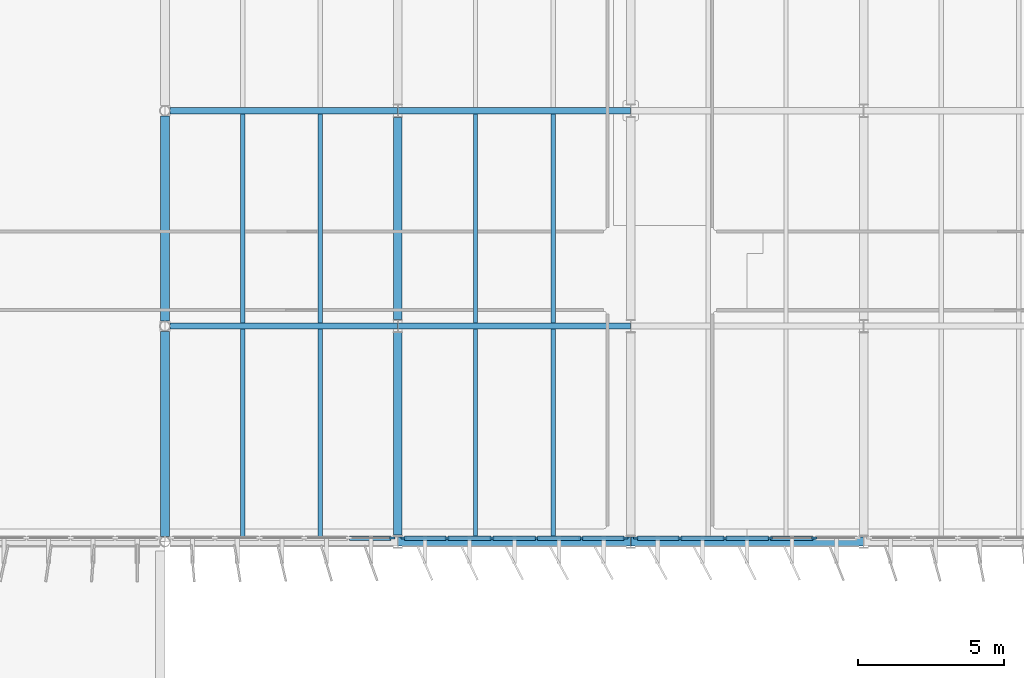
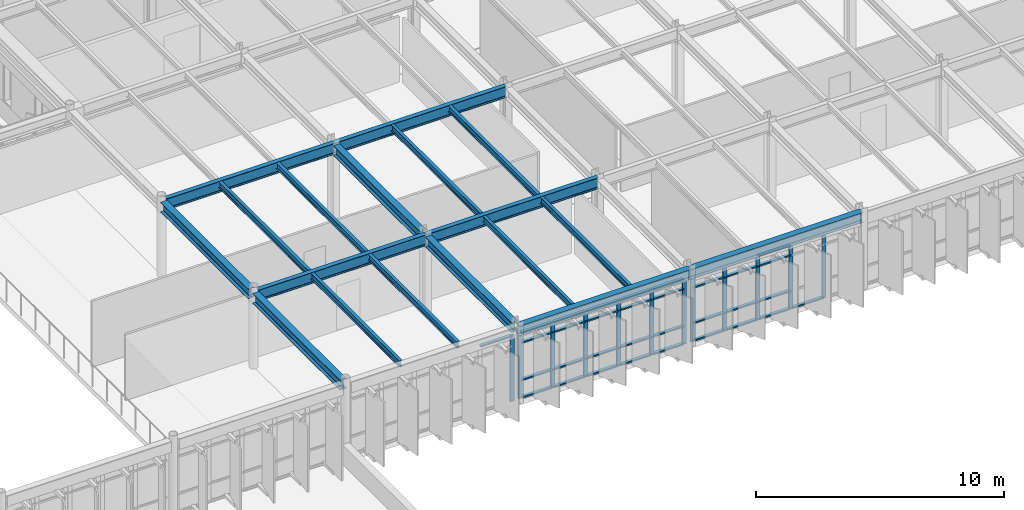
# One storey, part 20 of 56: 46 members, 18 beams, 3 elements without a shape of their own.
"""IFC4 building model written with IfcOpenShell, lengths in metres."""

import ifcopenshell
import ifcopenshell.guid

model = None  # the IFC model being written
_history = None  # IfcOwnerHistory: only IFC2X3 demands one
_inside = {}  # id of a spatial element -> (the spatial element, [elements in it])
_under = {}  # id of a project, library or spatial element -> (it, [spatial elements below it])
_declared = {}  # id of a project -> (the project, [libraries it declares])
_typed = {}  # id of a type object -> (the type object, [elements of that type])
_made_of = {}  # id of a material, layer set ... -> (it, [elements and type objects made of it])


def new_model(schema):
    """Start an empty IFC model of exactly this schema.

    Asked for "IFC4X3", IfcOpenShell would pick the latest addendum, in which some entities
    have other attributes; the version numbers below select the first issue.
    IFC2X3 requires an IfcOwnerHistory on every rooted entity: one is made here for all.
    """
    global model, _history
    if schema == "IFC4X3":
        model = ifcopenshell.file(schema_version=(4, 3, 0, 0))
    else:
        model = ifcopenshell.file(schema=schema)
    _inside.clear()
    _under.clear()
    _declared.clear()
    _typed.clear()
    _made_of.clear()
    _history = None
    if model.schema == "IFC2X3":
        org = make("IfcOrganization", Name="unknown")
        user = make(
            "IfcPersonAndOrganization",
            ThePerson=make("IfcPerson", FamilyName="unknown"),
            TheOrganization=org,
        )
        app = make(
            "IfcApplication",
            ApplicationDeveloper=org,
            Version="unknown",
            ApplicationFullName="unknown",
            ApplicationIdentifier="unknown",
        )
        _history = make(
            "IfcOwnerHistory",
            OwningUser=user,
            OwningApplication=app,
            ChangeAction="ADDED",
            CreationDate=0,
        )
    return model


def make(cls, **values):
    """One entity of the class cls with the attributes given. An attribute that is None is left unset."""
    return model.create_entity(
        cls, **{name: value for name, value in values.items() if value is not None}
    )


def rooted(cls, **values):
    """An entity with a GlobalId (a new one), such as an element, a storey or a relation."""
    return make(cls, GlobalId=ifcopenshell.guid.new(), OwnerHistory=_history, **values)


def si_unit(unit_type, name, prefix=None):
    """IfcSIUnit, for example si_unit("LENGTHUNIT", "METRE", prefix="MILLI")."""
    return make("IfcSIUnit", UnitType=unit_type, Prefix=prefix, Name=name)


def assignment(units):
    """IfcUnitAssignment: the units of a project."""
    return None if units is None else make("IfcUnitAssignment", Units=units)


def point(xyz):
    """IfcCartesianPoint."""
    return None if xyz is None else make("IfcCartesianPoint", Coordinates=xyz)


def direction(xyz):
    """IfcDirection."""
    return None if xyz is None else make("IfcDirection", DirectionRatios=xyz)


def frame(location, z_axis=None, x_axis=None):
    """IfcAxis2Placement3D, a coordinate frame: its origin and axes. An axis left out is left unset."""
    return make(
        "IfcAxis2Placement3D",
        Location=point(location),
        Axis=direction(z_axis),
        RefDirection=direction(x_axis),
    )


def frame_2d(location, x_axis=None):
    """IfcAxis2Placement2D, a coordinate frame in the plane: its origin and x axis."""
    return make(
        "IfcAxis2Placement2D", Location=point(location), RefDirection=direction(x_axis)
    )


def origin():
    """The frame at (0, 0, 0) with its axes left unset."""
    return frame((0.0, 0.0, 0.0))


def origin_2d():
    """The frame at (0, 0) in the plane with its x axis left unset."""
    return frame_2d((0.0, 0.0))


def place(relative_to, where):
    """IfcLocalPlacement: puts the frame where relative to a parent placement (None: the world)."""
    return make(
        "IfcLocalPlacement", PlacementRelTo=relative_to, RelativePlacement=where
    )


def context(
    kind, dimensions, precision=None, world=None, true_north=None, identifier=None
):
    """IfcGeometricRepresentationContext, for example the 3D "Model" context."""
    return make(
        "IfcGeometricRepresentationContext",
        ContextIdentifier=identifier,
        ContextType=kind,
        CoordinateSpaceDimension=dimensions,
        Precision=precision,
        WorldCoordinateSystem=world,
        TrueNorth=true_north,
    )


def subcontext(parent, identifier, kind, view, scale=None):
    """IfcGeometricRepresentationSubContext, for example "Body" below "Model"."""
    return make(
        "IfcGeometricRepresentationSubContext",
        ContextIdentifier=identifier,
        ContextType=kind,
        ParentContext=parent,
        TargetScale=scale,
        TargetView=view,
    )


def project(units=None, contexts=None):
    """IfcProject with its units and contexts."""
    return rooted(
        "IfcProject",
        Name="project",
        RepresentationContexts=contexts,
        UnitsInContext=assignment(units),
    )


def spatial(cls, under=None, at=None, **own):
    """A site, building, storey or space (cls), placed at a placement, below another one or the project."""
    s = rooted(cls, ObjectPlacement=at, **own)
    if under is not None:
        _under.setdefault(under.id(), (under, []))[1].append(s)
    return s


def profile(cls, at=None, kind="AREA", **sizes):
    """A parametric profile (cls). Its sizes go by their IFC names, for example OverallWidth=200.0."""
    return make(cls, ProfileType=kind, Position=at, **sizes)


def rectangle(**sizes):
    """IfcRectangleProfileDef."""
    return profile("IfcRectangleProfileDef", **sizes)


def i_section(**sizes):
    """IfcIShapeProfileDef."""
    return profile("IfcIShapeProfileDef", **sizes)


def extrude(swept, where, along, depth):
    """IfcExtrudedAreaSolid: the profile swept, set in the frame where, extruded along a direction by depth."""
    return make(
        "IfcExtrudedAreaSolid",
        SweptArea=swept,
        Position=where,
        ExtrudedDirection=direction(along),
        Depth=depth,
    )


def shape(context_of_items, identifier, shape_type, items):
    """IfcShapeRepresentation: the items that make up one representation, for example the "Body"."""
    return make(
        "IfcShapeRepresentation",
        ContextOfItems=context_of_items,
        RepresentationIdentifier=identifier,
        RepresentationType=shape_type,
        Items=items,
    )


def material(Name=None, Category=None):
    """IfcMaterial."""
    return make("IfcMaterial", Name=Name, Category=Category)


def layer(
    of_material, thickness, ventilated=None, Name=None, Category=None, Priority=None
):
    """IfcMaterialLayer: one layer of a wall or slab, of a material (None: an air gap)."""
    return make(
        "IfcMaterialLayer",
        Material=of_material,
        LayerThickness=thickness,
        IsVentilated=ventilated,
        Name=Name,
        Category=Category,
        Priority=Priority,
    )


def layer_set(layers, Name=None):
    """IfcMaterialLayerSet."""
    return make("IfcMaterialLayerSet", MaterialLayers=layers, LayerSetName=Name)


def material_profile(
    of_material, cross_section, Name=None, Category=None, Priority=None
):
    """IfcMaterialProfile: a cross section and its material."""
    return make(
        "IfcMaterialProfile",
        Name=Name,
        Material=of_material,
        Profile=cross_section,
        Priority=Priority,
        Category=Category,
    )


def profile_set(profiles, Name=None, composite=None):
    """IfcMaterialProfileSet."""
    return make(
        "IfcMaterialProfileSet",
        Name=Name,
        MaterialProfiles=profiles,
        CompositeProfile=composite,
    )


def made_of(thing, what):
    """Note that an element or type object is made of a material, layer set ...; save() writes the relation."""
    if what is not None:
        _made_of.setdefault(what.id(), (what, []))[1].append(thing)
    return thing


def type_object(cls, material=None, **own):
    """A type object (cls), such as IfcWallType, which elements share."""
    return made_of(rooted(cls, **own), material)


def element(
    cls,
    number,
    at=None,
    inside=None,
    cuts=None,
    type_object=None,
    material=None,
    context=None,
    identifier="Body",
    shape_type=None,
    held_by="IfcProductDefinitionShape",
    body=None,
    shapes=None,
    **own,
):
    """One element of the class cls, such as IfcWall. Its Tag is "e" and its number.

    at: its placement. inside: the storey or other place that contains it. cuts: it is an
    opening in that element (IfcRelVoidsElement). A single representation is given by context,
    identifier, shape_type and body (its items); several are given by shapes. held_by: the class
    of the entity that holds the representations. save() writes the other relations.
    """
    e = rooted(cls, Tag="e%d" % number, ObjectPlacement=at, **own)
    if body is not None:
        shapes = [shape(context, identifier, shape_type, body)]
    if shapes is not None:
        e.Representation = make(held_by, Representations=shapes)
    if inside is not None:
        _inside.setdefault(inside.id(), (inside, []))[1].append(e)
    if cuts is not None:
        rooted(
            "IfcRelVoidsElement", RelatingBuildingElement=cuts, RelatedOpeningElement=e
        )
    if type_object is not None:
        _typed.setdefault(type_object.id(), (type_object, []))[1].append(e)
    return made_of(e, material)


def aggregate(whole, parts):
    """IfcRelAggregates: a whole, such as a stair, and the parts it consists of."""
    return rooted("IfcRelAggregates", RelatingObject=whole, RelatedObjects=parts)


def save(model, path):
    """Write the relations noted so far, then the file.

    IfcRelAggregates (storeys below a building ...), IfcRelContainedInSpatialStructure (elements
    in a storey), IfcRelDefinesByType, IfcRelAssociatesMaterial and IfcRelDeclares: one each for
    every whole, place, type object, material and project.
    """
    for whole, parts in _under.values():
        aggregate(whole, parts)
    for where, things in _inside.values():
        rooted(
            "IfcRelContainedInSpatialStructure",
            RelatedElements=things,
            RelatingStructure=where,
        )
    for kind, things in _typed.values():
        rooted("IfcRelDefinesByType", RelatedObjects=things, RelatingType=kind)
    for what, things in _made_of.values():
        rooted("IfcRelAssociatesMaterial", RelatedObjects=things, RelatingMaterial=what)
    for by, libraries in _declared.values():
        rooted("IfcRelDeclares", RelatingContext=by, RelatedDefinitions=libraries)
    model.write(path)


model = new_model("IFC4")

# Units and contexts
model_context = context("Model", 3, precision=1e-05, world=origin(), true_north=direction((0.0, 1.0)))
body_context = subcontext(model_context, "Body", "Model", "MODEL_VIEW")
ifc_project = project(units=[si_unit("LENGTHUNIT", "METRE"), si_unit("AREAUNIT", "SQUARE_METRE"), si_unit("VOLUMEUNIT", "CUBIC_METRE"), si_unit("PLANEANGLEUNIT", "RADIAN"), si_unit("MASSUNIT", "GRAM", prefix="KILO")], contexts=[model_context])

# Site, building, storey
site_placement = place(None, origin())
site = spatial("IfcSite", under=ifc_project, at=site_placement, CompositionType="ELEMENT")
building_placement = place(site_placement, origin())
building = spatial("IfcBuilding", under=site, at=building_placement, Name="Valkorina Park Police Headquarters", CompositionType="ELEMENT")
storey_placement = place(building_placement, frame((0.0, 0.0, 14.10009765625)))
storey = spatial("IfcBuildingStorey", under=building, at=storey_placement, Name="L04", CompositionType="ELEMENT", Elevation=14.10009765625)

# Beams
ifc_material_1 = material(Name="Steel S355", Category="steel")
ifc_material_profile_1 = material_profile(ifc_material_1, i_section(OverallWidth=0.300048828125, OverallDepth=0.489990234375, WebThickness=0.011962890625, FlangeThickness=0.02294921875, FilletRadius=0.027099609375, at=origin_2d()), Name="HEA 500")
ifc_profile_set_1 = profile_set([ifc_material_profile_1], Name="Steel S355")
beam_type_1 = type_object("IfcBeamType", Name="BM-S355-HEA500-BM", PredefinedType="BEAM", material=ifc_profile_set_1)
for number, where, z_axis, x_axis, name in (
    (1, (80.800048828125, 37.177734375, 3.510009765625), (0.0, 1.0, 0.0), (-1.0, 0.0, 0.0), "L04 Framing Beam 2331"),
    (2, (80.800048828125, 44.577880859375, 3.510009765625), (0.0, 1.0, 0.0), (-1.0, 0.0, 0.0), "L04 Framing Beam 2334"),
):
    element("IfcBeam", number, at=place(storey_placement, frame(where, z_axis=z_axis, x_axis=x_axis)), inside=storey, type_object=beam_type_1, Name=name, PredefinedType="BEAM", context=body_context, shape_type="SweptSolid", body=[
        extrude(i_section(OverallWidth=0.300048828125, OverallDepth=0.489990234375, WebThickness=0.011962890625, FlangeThickness=0.02294921875, FilletRadius=0.027099609375, at=origin_2d()), origin(), (0.0, 0.0, 1.0), 7.04443359375),
    ])
for number, where, z_axis, x_axis, name in (
    (3, (88.800048828125, 37.22509765625, 3.510009765625), (0.0, 1.0, 0.0), (-1.0, 0.0, 0.0), "L04 Framing Beam 2347"),
    (4, (88.800048828125, 44.625, 3.510009765625), (0.0, 1.0, 0.0), (-1.0, 0.0, 0.0), "L04 Framing Beam 2350"),
):
    element("IfcBeam", number, at=place(storey_placement, frame(where, z_axis=z_axis, x_axis=x_axis)), inside=storey, type_object=beam_type_1, Name=name, PredefinedType="BEAM", context=body_context, shape_type="SweptSolid", body=[
        extrude(i_section(OverallWidth=0.300048828125, OverallDepth=0.489990234375, WebThickness=0.011962890625, FlangeThickness=0.02294921875, FilletRadius=0.027099609375, at=origin_2d()), origin(), (0.0, 0.0, 1.0), 6.949951171875),
    ])
ifc_material_profile_2 = material_profile(ifc_material_1, i_section(OverallWidth=0.300048828125, OverallDepth=0.489990234375, WebThickness=0.011962890625, FlangeThickness=0.02294921875, FilletRadius=0.027099609375, at=origin_2d()), Name="HEA 500")
ifc_profile_set_2 = profile_set([ifc_material_profile_2], Name="Steel S355")
beam_type_2 = type_object("IfcBeamType", Name="BM-S355-HEA500-SPN", PredefinedType="SPANDREL", material=ifc_profile_set_2)
for number, where, z_axis, x_axis, name in (
    (5, (88.806884765625, 37.0, 3.510009765625), (1.0, 0.0, 0.0), (0.0, 1.0, 0.0), "L04 Framing Beam 2225"),
    (6, (96.806884765625, 37.0, 3.510009765625), (1.0, 0.0, 0.0), (0.0, 1.0, 0.0), "L04 Framing Beam 2226"),
):
    element("IfcBeam", number, at=place(storey_placement, frame(where, z_axis=z_axis, x_axis=x_axis)), inside=storey, type_object=beam_type_2, Name=name, PredefinedType="SPANDREL", context=body_context, shape_type="SweptSolid", body=[
        extrude(i_section(OverallWidth=0.300048828125, OverallDepth=0.489990234375, WebThickness=0.011962890625, FlangeThickness=0.02294921875, FilletRadius=0.027099609375, at=origin_2d()), origin(), (0.0, 0.0, 1.0), 7.986083984375),
    ])
ifc_material_profile_3 = material_profile(ifc_material_1, i_section(OverallWidth=0.14990234375, OverallDepth=0.300048828125, WebThickness=0.007080078125, FlangeThickness=0.0107421875, FilletRadius=0.014892578125, at=origin_2d()), Name="IPE 300")
ifc_profile_set_3 = profile_set([ifc_material_profile_3], Name="Steel S355")
beam_type_3 = type_object("IfcBeamType", Name="BM-S355-IPE300-JST", PredefinedType="JOIST", material=ifc_profile_set_3)
for number, where, z_axis, x_axis, name in (
    (7, (83.466796875, 37.14990234375, 3.60498046875), (0.0, 1.0, 0.0), (-1.0, 0.0, 0.0), "L04 Framing Beam 2332"),
    (8, (86.13330078125, 37.14990234375, 3.60498046875), (0.0, 1.0, 0.0), (-1.0, 0.0, 0.0), "L04 Framing Beam 2333"),
):
    element("IfcBeam", number, at=place(storey_placement, frame(where, z_axis=z_axis, x_axis=x_axis)), inside=storey, type_object=beam_type_3, Name=name, PredefinedType="JOIST", context=body_context, shape_type="SweptSolid", body=[
        extrude(i_section(OverallWidth=0.14990234375, OverallDepth=0.300048828125, WebThickness=0.007080078125, FlangeThickness=0.0107421875, FilletRadius=0.014892578125, at=origin_2d()), origin(), (0.0, 0.0, 1.0), 7.14501953125),
    ])
for number, where, z_axis, x_axis, name in (
    (9, (83.466796875, 44.5048828125, 3.60498046875), (0.0, 1.0, 0.0), (-1.0, 0.0, 0.0), "L04 Framing Beam 2335"),
    (10, (86.13330078125, 44.5048828125, 3.60498046875), (0.0, 1.0, 0.0), (-1.0, 0.0, 0.0), "L04 Framing Beam 2336"),
):
    element("IfcBeam", number, at=place(storey_placement, frame(where, z_axis=z_axis, x_axis=x_axis)), inside=storey, type_object=beam_type_3, Name=name, PredefinedType="JOIST", context=body_context, shape_type="SweptSolid", body=[
        extrude(i_section(OverallWidth=0.14990234375, OverallDepth=0.300048828125, WebThickness=0.007080078125, FlangeThickness=0.0107421875, FilletRadius=0.014892578125, at=origin_2d()), origin(), (0.0, 0.0, 1.0), 7.190185546875),
    ])
for number, where, z_axis, x_axis, name in (
    (11, (91.466796875, 37.14990234375, 3.60498046875), (0.0, 1.0, 0.0), (-1.0, 0.0, 0.0), "L04 Framing Beam 2348"),
    (12, (94.13330078125, 37.14990234375, 3.60498046875), (0.0, 1.0, 0.0), (-1.0, 0.0, 0.0), "L04 Framing Beam 2349"),
):
    element("IfcBeam", number, at=place(storey_placement, frame(where, z_axis=z_axis, x_axis=x_axis)), inside=storey, type_object=beam_type_3, Name=name, PredefinedType="JOIST", context=body_context, shape_type="SweptSolid", body=[
        extrude(i_section(OverallWidth=0.14990234375, OverallDepth=0.300048828125, WebThickness=0.007080078125, FlangeThickness=0.0107421875, FilletRadius=0.014892578125, at=origin_2d()), origin(), (0.0, 0.0, 1.0), 7.14501953125),
    ])
for number, where, z_axis, x_axis, name in (
    (13, (91.466796875, 44.5048828125, 3.60498046875), (0.0, 1.0, 0.0), (-1.0, 0.0, 0.0), "L04 Framing Beam 2351"),
    (14, (94.13330078125, 44.5048828125, 3.60498046875), (0.0, 1.0, 0.0), (-1.0, 0.0, 0.0), "L04 Framing Beam 2352"),
):
    element("IfcBeam", number, at=place(storey_placement, frame(where, z_axis=z_axis, x_axis=x_axis)), inside=storey, type_object=beam_type_3, Name=name, PredefinedType="JOIST", context=body_context, shape_type="SweptSolid", body=[
        extrude(i_section(OverallWidth=0.14990234375, OverallDepth=0.300048828125, WebThickness=0.007080078125, FlangeThickness=0.0107421875, FilletRadius=0.014892578125, at=origin_2d()), origin(), (0.0, 0.0, 1.0), 7.190185546875),
    ])
ifc_material_profile_4 = material_profile(ifc_material_1, i_section(OverallWidth=0.2099609375, OverallDepth=0.550048828125, WebThickness=0.010986328125, FlangeThickness=0.01708984375, FilletRadius=0.02392578125, at=origin_2d()), Name="IPE 550")
ifc_profile_set_4 = profile_set([ifc_material_profile_4], Name="Steel S355")
beam_type_4 = type_object("IfcBeamType", Name="BM-S355-IPE550-BM", PredefinedType="BEAM", material=ifc_profile_set_4)
beam_1_placement = place(storey_placement, frame((80.977783203125, 44.39990234375, 3.47998046875), z_axis=(1.0, 0.0, 0.0), x_axis=(0.0, 1.0, 0.0)))
element("IfcBeam", 15, at=beam_1_placement, inside=storey, type_object=beam_type_4, Name="L04 Framing Beam 2233", PredefinedType="BEAM", context=body_context, shape_type="SweptSolid", body=[
    extrude(i_section(OverallWidth=0.2099609375, OverallDepth=0.550048828125, WebThickness=0.010986328125, FlangeThickness=0.01708984375, FilletRadius=0.02392578125, at=origin_2d()), origin(), (0.0, 0.0, 1.0), 7.815185546875),
])
beam_2_placement = place(storey_placement, frame((88.806884765625, 44.39990234375, 3.47998046875), z_axis=(1.0, 0.0, 0.0), x_axis=(0.0, 1.0, 0.0)))
element("IfcBeam", 16, at=beam_2_placement, inside=storey, type_object=beam_type_4, Name="L04 Framing Beam 2234", PredefinedType="BEAM", context=body_context, shape_type="SweptSolid", body=[
    extrude(i_section(OverallWidth=0.2099609375, OverallDepth=0.550048828125, WebThickness=0.010986328125, FlangeThickness=0.01708984375, FilletRadius=0.02392578125, at=origin_2d()), origin(), (0.0, 0.0, 1.0), 7.986083984375),
])
beam_3_placement = place(storey_placement, frame((80.977783203125, 51.800048828125, 3.47998046875), z_axis=(1.0, 0.0, 0.0), x_axis=(0.0, 1.0, 0.0)))
element("IfcBeam", 17, at=beam_3_placement, inside=storey, type_object=beam_type_4, Name="L04 Framing Beam 2241", PredefinedType="BEAM", context=body_context, shape_type="SweptSolid", body=[
    extrude(i_section(OverallWidth=0.2099609375, OverallDepth=0.550048828125, WebThickness=0.010986328125, FlangeThickness=0.01708984375, FilletRadius=0.02392578125, at=origin_2d()), origin(), (0.0, 0.0, 1.0), 7.815185546875),
])
beam_4_placement = place(storey_placement, frame((88.806884765625, 51.800048828125, 3.47998046875), z_axis=(1.0, 0.0, 0.0), x_axis=(0.0, 1.0, 0.0)))
element("IfcBeam", 18, at=beam_4_placement, inside=storey, type_object=beam_type_4, Name="L04 Framing Beam 2242", PredefinedType="BEAM", context=body_context, shape_type="SweptSolid", body=[
    extrude(i_section(OverallWidth=0.2099609375, OverallDepth=0.550048828125, WebThickness=0.010986328125, FlangeThickness=0.01708984375, FilletRadius=0.02392578125, at=origin_2d()), origin(), (0.0, 0.0, 1.0), 7.986083984375),
])

# Curtain wall, members
ifc_material_2 = material(Name="Thermally broken aluminium AW-6060", Category="aluminium")
ifc_layer_1 = layer(ifc_material_2, 0.18994140625)
ifc_layer_set_1 = layer_set([ifc_layer_1], Name="Thermally broken aluminium AW-6060")
curtain_wall_type_1 = type_object("IfcCurtainWallType", Name="CW-V5-7680x3170", PredefinedType="NOTDEFINED", material=ifc_layer_set_1)
curtain_wall_1_placement = place(storey_placement, origin())
curtain_wall_1 = element("IfcCurtainWall", 19, at=curtain_wall_1_placement, inside=storey, type_object=curtain_wall_type_1, Name="L04 Unitised Curtain Wall 045", PredefinedType="NOTDEFINED")
ifc_material_profile_5 = material_profile(ifc_material_2, rectangle(XDim=0.070068359375, YDim=0.18994140625, at=origin_2d()), Name="CWM-02 70x190")
ifc_profile_set_5 = profile_set([ifc_material_profile_5], Name="Thermally broken aluminium AW-6060")
member_type_1 = type_object("IfcMemberType", Name="CWM-70x190", PredefinedType="MULLION", material=ifc_profile_set_5)
member_1_placement = place(storey_placement, frame((103.10400390625, 37.1201171875, 0.0), z_axis=(0.0, 0.0, 1.0), x_axis=(0.0, -1.0, 0.0)))
member_1 = element("IfcMember", 20, at=member_1_placement, type_object=member_type_1, Name="CW-V5-768-317 mullion 2", PredefinedType="MULLION", context=body_context, shape_type="SweptSolid", body=[
    extrude(rectangle(XDim=0.070068359375, YDim=0.18994140625, at=origin_2d()), origin(), (0.0, 0.0, 1.0), 3.169921875),
])
member_2_placement = place(storey_placement, frame((101.568115234375, 37.1201171875, 0.0), z_axis=(0.0, 0.0, 1.0), x_axis=(0.0, -1.0, 0.0)))
member_2 = element("IfcMember", 21, at=member_2_placement, type_object=member_type_1, Name="CW-V5-768-317 mullion 3", PredefinedType="MULLION", context=body_context, shape_type="SweptSolid", body=[
    extrude(rectangle(XDim=0.070068359375, YDim=0.18994140625, at=origin_2d()), origin(), (0.0, 0.0, 1.0), 3.169921875),
])
member_3_placement = place(storey_placement, frame((100.031982421875, 37.1201171875, 0.0), z_axis=(0.0, 0.0, 1.0), x_axis=(0.0, -1.0, 0.0)))
member_3 = element("IfcMember", 22, at=member_3_placement, type_object=member_type_1, Name="CW-V5-768-317 mullion 4", PredefinedType="MULLION", context=body_context, shape_type="SweptSolid", body=[
    extrude(rectangle(XDim=0.070068359375, YDim=0.18994140625, at=origin_2d()), origin(), (0.0, 0.0, 1.0), 3.169921875),
])
member_4_placement = place(storey_placement, frame((98.49609375, 37.1201171875, 0.0), z_axis=(0.0, 0.0, 1.0), x_axis=(0.0, -1.0, 0.0)))
member_4 = element("IfcMember", 23, at=member_4_placement, type_object=member_type_1, Name="CW-V5-768-317 mullion 5", PredefinedType="MULLION", context=body_context, shape_type="SweptSolid", body=[
    extrude(rectangle(XDim=0.070068359375, YDim=0.18994140625, at=origin_2d()), origin(), (0.0, 0.0, 1.0), 3.169921875),
])
member_5_placement = place(storey_placement, frame((96.9951171875, 37.1201171875, 0.0), z_axis=(0.0, 0.0, 1.0), x_axis=(0.0, -1.0, 0.0)))
member_5 = element("IfcMember", 24, at=member_5_placement, type_object=member_type_1, Name="CW-V5-768-317 mullion 6", PredefinedType="MULLION", context=body_context, shape_type="SweptSolid", body=[
    extrude(rectangle(XDim=0.070068359375, YDim=0.18994140625, at=origin_2d()), origin(), (0.0, 0.0, 1.0), 3.169921875),
])

ifc_layer_2 = layer(ifc_material_2, 0.18994140625)
ifc_layer_set_2 = layer_set([ifc_layer_2], Name="Thermally broken aluminium AW-6060")
curtain_wall_type_2 = type_object("IfcCurtainWallType", Name="CW-V5-7680x3260", PredefinedType="NOTDEFINED", material=ifc_layer_set_2)
curtain_wall_2_placement = place(storey_placement, origin())
curtain_wall_2 = element("IfcCurtainWall", 25, at=curtain_wall_2_placement, inside=storey, type_object=curtain_wall_type_2, Name="L04 Unitised Curtain Wall 046", PredefinedType="NOTDEFINED")
member_6_placement = place(storey_placement, frame((96.60498046875, 37.1201171875, 0.0), z_axis=(0.0, 0.0, 1.0), x_axis=(0.0, -1.0, 0.0)))
member_6 = element("IfcMember", 26, at=member_6_placement, type_object=member_type_1, Name="CW-V5-768-326 mullion 1", PredefinedType="MULLION", context=body_context, shape_type="SweptSolid", body=[
    extrude(rectangle(XDim=0.070068359375, YDim=0.18994140625, at=origin_2d()), origin(), (0.0, 0.0, 1.0), 3.2548828125),
])
member_7_placement = place(storey_placement, frame((95.10400390625, 37.1201171875, 0.0), z_axis=(0.0, 0.0, 1.0), x_axis=(0.0, -1.0, 0.0)))
member_7 = element("IfcMember", 27, at=member_7_placement, type_object=member_type_1, Name="CW-V5-768-326 mullion 2", PredefinedType="MULLION", context=body_context, shape_type="SweptSolid", body=[
    extrude(rectangle(XDim=0.070068359375, YDim=0.18994140625, at=origin_2d()), origin(), (0.0, 0.0, 1.0), 3.2548828125),
])
member_8_placement = place(storey_placement, frame((93.568115234375, 37.1201171875, 0.0), z_axis=(0.0, 0.0, 1.0), x_axis=(0.0, -1.0, 0.0)))
member_8 = element("IfcMember", 28, at=member_8_placement, type_object=member_type_1, Name="CW-V5-768-326 mullion 3", PredefinedType="MULLION", context=body_context, shape_type="SweptSolid", body=[
    extrude(rectangle(XDim=0.070068359375, YDim=0.18994140625, at=origin_2d()), origin(), (0.0, 0.0, 1.0), 3.2548828125),
])
member_9_placement = place(storey_placement, frame((92.031982421875, 37.1201171875, 0.0), z_axis=(0.0, 0.0, 1.0), x_axis=(0.0, -1.0, 0.0)))
member_9 = element("IfcMember", 29, at=member_9_placement, type_object=member_type_1, Name="CW-V5-768-326 mullion 4", PredefinedType="MULLION", context=body_context, shape_type="SweptSolid", body=[
    extrude(rectangle(XDim=0.070068359375, YDim=0.18994140625, at=origin_2d()), origin(), (0.0, 0.0, 1.0), 3.2548828125),
])
member_10_placement = place(storey_placement, frame((90.49609375, 37.1201171875, 0.0), z_axis=(0.0, 0.0, 1.0), x_axis=(0.0, -1.0, 0.0)))
member_10 = element("IfcMember", 30, at=member_10_placement, type_object=member_type_1, Name="CW-V5-768-326 mullion 5", PredefinedType="MULLION", context=body_context, shape_type="SweptSolid", body=[
    extrude(rectangle(XDim=0.070068359375, YDim=0.18994140625, at=origin_2d()), origin(), (0.0, 0.0, 1.0), 3.2548828125),
])
member_11_placement = place(storey_placement, frame((88.9951171875, 37.1201171875, 0.0), z_axis=(0.0, 0.0, 1.0), x_axis=(0.0, -1.0, 0.0)))
member_11 = element("IfcMember", 31, at=member_11_placement, type_object=member_type_1, Name="CW-V5-768-326 mullion 6", PredefinedType="MULLION", context=body_context, shape_type="SweptSolid", body=[
    extrude(rectangle(XDim=0.070068359375, YDim=0.18994140625, at=origin_2d()), origin(), (0.0, 0.0, 1.0), 3.2548828125),
])

# Curtain wall, member
ifc_layer_3 = layer(ifc_material_2, 0.18994140625)
ifc_layer_set_3 = layer_set([ifc_layer_3], Name="Thermally broken aluminium AW-6060")
curtain_wall_type_3 = type_object("IfcCurtainWallType", Name="CW-V5-7650x3260", PredefinedType="NOTDEFINED", material=ifc_layer_set_3)
curtain_wall_3_placement = place(storey_placement, origin())
curtain_wall_3 = element("IfcCurtainWall", 32, at=curtain_wall_3_placement, inside=storey, type_object=curtain_wall_type_3, Name="L04 Unitised Curtain Wall 047", PredefinedType="NOTDEFINED")
member_12_placement = place(storey_placement, frame((88.60498046875, 37.1201171875, 0.0), z_axis=(0.0, 0.0, 1.0), x_axis=(0.0, -1.0, 0.0)))
member_12 = element("IfcMember", 33, at=member_12_placement, type_object=member_type_1, Name="CW-V5-765-326 mullion 1", PredefinedType="MULLION", context=body_context, shape_type="SweptSolid", body=[
    extrude(rectangle(XDim=0.070068359375, YDim=0.18994140625, at=origin_2d()), origin(), (0.0, 0.0, 1.0), 3.2548828125),
])

# Member
ifc_material_profile_6 = material_profile(ifc_material_2, rectangle(XDim=0.14990234375, YDim=0.070068359375, at=origin_2d()), Name="CWT-02 150x70")
ifc_profile_set_6 = profile_set([ifc_material_profile_6], Name="Thermally broken aluminium AW-6060")
member_type_2 = type_object("IfcMemberType", Name="CWT-150x70", PredefinedType="USERDEFINED", material=ifc_profile_set_6)
member_13_placement = place(storey_placement, frame((103.069091796875, 37.1201171875, 0.034912109375), z_axis=(-1.0, 0.0, 0.0), x_axis=(0.0, -1.0, 0.0)))
member_13 = element("IfcMember", 34, at=member_13_placement, type_object=member_type_2, Name="CW-V5-768-317 transom 2.1", ObjectType="TRANSOM", PredefinedType="USERDEFINED", context=body_context, shape_type="SweptSolid", body=[
    extrude(rectangle(XDim=0.14990234375, YDim=0.070068359375, at=origin_2d()), origin(), (0.0, 0.0, 1.0), 1.466064453125),
])

member_14_placement = place(storey_placement, frame((101.532958984375, 37.1201171875, 0.034912109375), z_axis=(-1.0, 0.0, 0.0), x_axis=(0.0, -1.0, 0.0)))
member_14 = element("IfcMember", 35, at=member_14_placement, type_object=member_type_2, Name="CW-V5-768-317 transom 3.1", ObjectType="TRANSOM", PredefinedType="USERDEFINED", context=body_context, shape_type="SweptSolid", body=[
    extrude(rectangle(XDim=0.14990234375, YDim=0.070068359375, at=origin_2d()), origin(), (0.0, 0.0, 1.0), 1.466064453125),
])

member_15_placement = place(storey_placement, frame((101.532958984375, 37.1201171875, 0.89990234375), z_axis=(-1.0, 0.0, 0.0), x_axis=(0.0, -1.0, 0.0)))
member_15 = element("IfcMember", 36, at=member_15_placement, type_object=member_type_2, Name="CW-V5-768-317 transom 3.2", ObjectType="TRANSOM", PredefinedType="USERDEFINED", context=body_context, shape_type="SweptSolid", body=[
    extrude(rectangle(XDim=0.14990234375, YDim=0.070068359375, at=origin_2d()), origin(), (0.0, 0.0, 1.0), 1.466064453125),
])

member_16_placement = place(storey_placement, frame((101.532958984375, 37.1201171875, 2.64990234375), z_axis=(-1.0, 0.0, 0.0), x_axis=(0.0, -1.0, 0.0)))
member_16 = element("IfcMember", 37, at=member_16_placement, type_object=member_type_2, Name="CW-V5-768-317 transom 3.3", ObjectType="TRANSOM", PredefinedType="USERDEFINED", context=body_context, shape_type="SweptSolid", body=[
    extrude(rectangle(XDim=0.14990234375, YDim=0.070068359375, at=origin_2d()), origin(), (0.0, 0.0, 1.0), 1.466064453125),
])

member_17_placement = place(storey_placement, frame((101.532958984375, 37.1201171875, 3.135009765625), z_axis=(-1.0, 0.0, 0.0), x_axis=(0.0, -1.0, 0.0)))
member_17 = element("IfcMember", 38, at=member_17_placement, type_object=member_type_2, Name="CW-V5-768-317 transom 3.4", ObjectType="TRANSOM", PredefinedType="USERDEFINED", context=body_context, shape_type="SweptSolid", body=[
    extrude(rectangle(XDim=0.14990234375, YDim=0.070068359375, at=origin_2d()), origin(), (0.0, 0.0, 1.0), 1.466064453125),
])

member_18_placement = place(storey_placement, frame((99.9970703125, 37.1201171875, 0.034912109375), z_axis=(-1.0, 0.0, 0.0), x_axis=(0.0, -1.0, 0.0)))
member_18 = element("IfcMember", 39, at=member_18_placement, type_object=member_type_2, Name="CW-V5-768-317 transom 4.1", ObjectType="TRANSOM", PredefinedType="USERDEFINED", context=body_context, shape_type="SweptSolid", body=[
    extrude(rectangle(XDim=0.14990234375, YDim=0.070068359375, at=origin_2d()), origin(), (0.0, 0.0, 1.0), 1.466064453125),
])

member_19_placement = place(storey_placement, frame((99.9970703125, 37.1201171875, 0.89990234375), z_axis=(-1.0, 0.0, 0.0), x_axis=(0.0, -1.0, 0.0)))
member_19 = element("IfcMember", 40, at=member_19_placement, type_object=member_type_2, Name="CW-V5-768-317 transom 4.2", ObjectType="TRANSOM", PredefinedType="USERDEFINED", context=body_context, shape_type="SweptSolid", body=[
    extrude(rectangle(XDim=0.14990234375, YDim=0.070068359375, at=origin_2d()), origin(), (0.0, 0.0, 1.0), 1.466064453125),
])

member_20_placement = place(storey_placement, frame((99.9970703125, 37.1201171875, 2.64990234375), z_axis=(-1.0, 0.0, 0.0), x_axis=(0.0, -1.0, 0.0)))
member_20 = element("IfcMember", 41, at=member_20_placement, type_object=member_type_2, Name="CW-V5-768-317 transom 4.3", ObjectType="TRANSOM", PredefinedType="USERDEFINED", context=body_context, shape_type="SweptSolid", body=[
    extrude(rectangle(XDim=0.14990234375, YDim=0.070068359375, at=origin_2d()), origin(), (0.0, 0.0, 1.0), 1.466064453125),
])

member_21_placement = place(storey_placement, frame((99.9970703125, 37.1201171875, 3.135009765625), z_axis=(-1.0, 0.0, 0.0), x_axis=(0.0, -1.0, 0.0)))
member_21 = element("IfcMember", 42, at=member_21_placement, type_object=member_type_2, Name="CW-V5-768-317 transom 4.4", ObjectType="TRANSOM", PredefinedType="USERDEFINED", context=body_context, shape_type="SweptSolid", body=[
    extrude(rectangle(XDim=0.14990234375, YDim=0.070068359375, at=origin_2d()), origin(), (0.0, 0.0, 1.0), 1.466064453125),
])

member_22_placement = place(storey_placement, frame((98.4609375, 37.1201171875, 0.034912109375), z_axis=(-1.0, 0.0, 0.0), x_axis=(0.0, -1.0, 0.0)))
member_22 = element("IfcMember", 43, at=member_22_placement, type_object=member_type_2, Name="CW-V5-768-317 transom 5.1", ObjectType="TRANSOM", PredefinedType="USERDEFINED", context=body_context, shape_type="SweptSolid", body=[
    extrude(rectangle(XDim=0.14990234375, YDim=0.070068359375, at=origin_2d()), origin(), (0.0, 0.0, 1.0), 1.430908203125),
])

member_23_placement = place(storey_placement, frame((98.4609375, 37.1201171875, 0.89990234375), z_axis=(-1.0, 0.0, 0.0), x_axis=(0.0, -1.0, 0.0)))
member_23 = element("IfcMember", 44, at=member_23_placement, type_object=member_type_2, Name="CW-V5-768-317 transom 5.2", ObjectType="TRANSOM", PredefinedType="USERDEFINED", context=body_context, shape_type="SweptSolid", body=[
    extrude(rectangle(XDim=0.14990234375, YDim=0.070068359375, at=origin_2d()), origin(), (0.0, 0.0, 1.0), 1.430908203125),
])

member_24_placement = place(storey_placement, frame((98.4609375, 37.1201171875, 2.64990234375), z_axis=(-1.0, 0.0, 0.0), x_axis=(0.0, -1.0, 0.0)))
member_24 = element("IfcMember", 45, at=member_24_placement, type_object=member_type_2, Name="CW-V5-768-317 transom 5.3", ObjectType="TRANSOM", PredefinedType="USERDEFINED", context=body_context, shape_type="SweptSolid", body=[
    extrude(rectangle(XDim=0.14990234375, YDim=0.070068359375, at=origin_2d()), origin(), (0.0, 0.0, 1.0), 1.430908203125),
])

member_25_placement = place(storey_placement, frame((98.4609375, 37.1201171875, 3.135009765625), z_axis=(-1.0, 0.0, 0.0), x_axis=(0.0, -1.0, 0.0)))
member_25 = element("IfcMember", 46, at=member_25_placement, type_object=member_type_2, Name="CW-V5-768-317 transom 5.4", ObjectType="TRANSOM", PredefinedType="USERDEFINED", context=body_context, shape_type="SweptSolid", body=[
    extrude(rectangle(XDim=0.14990234375, YDim=0.070068359375, at=origin_2d()), origin(), (0.0, 0.0, 1.0), 1.430908203125),
])

aggregate(curtain_wall_1, [member_1, member_2, member_3, member_4, member_5, member_13, member_14, member_15, member_16, member_17, member_18, member_19, member_20, member_21, member_22, member_23, member_24, member_25])

member_26_placement = place(storey_placement, frame((96.570068359375, 37.1201171875, 0.034912109375), z_axis=(-1.0, 0.0, 0.0), x_axis=(0.0, -1.0, 0.0)))
member_26 = element("IfcMember", 47, at=member_26_placement, type_object=member_type_2, Name="CW-V5-768-326 transom 1.1", ObjectType="TRANSOM", PredefinedType="USERDEFINED", context=body_context, shape_type="SweptSolid", body=[
    extrude(rectangle(XDim=0.14990234375, YDim=0.070068359375, at=origin_2d()), origin(), (0.0, 0.0, 1.0), 1.43115234375),
])

member_27_placement = place(storey_placement, frame((96.570068359375, 37.1201171875, 0.89990234375), z_axis=(-1.0, 0.0, 0.0), x_axis=(0.0, -1.0, 0.0)))
member_27 = element("IfcMember", 48, at=member_27_placement, type_object=member_type_2, Name="CW-V5-768-326 transom 1.2", ObjectType="TRANSOM", PredefinedType="USERDEFINED", context=body_context, shape_type="SweptSolid", body=[
    extrude(rectangle(XDim=0.14990234375, YDim=0.070068359375, at=origin_2d()), origin(), (0.0, 0.0, 1.0), 1.43115234375),
])

member_28_placement = place(storey_placement, frame((96.570068359375, 37.1201171875, 2.73486328125), z_axis=(-1.0, 0.0, 0.0), x_axis=(0.0, -1.0, 0.0)))
member_28 = element("IfcMember", 49, at=member_28_placement, type_object=member_type_2, Name="CW-V5-768-326 transom 1.3", ObjectType="TRANSOM", PredefinedType="USERDEFINED", context=body_context, shape_type="SweptSolid", body=[
    extrude(rectangle(XDim=0.14990234375, YDim=0.070068359375, at=origin_2d()), origin(), (0.0, 0.0, 1.0), 1.43115234375),
])

member_29_placement = place(storey_placement, frame((96.570068359375, 37.1201171875, 3.219970703125), z_axis=(-1.0, 0.0, 0.0), x_axis=(0.0, -1.0, 0.0)))
member_29 = element("IfcMember", 50, at=member_29_placement, type_object=member_type_2, Name="CW-V5-768-326 transom 1.4", ObjectType="TRANSOM", PredefinedType="USERDEFINED", context=body_context, shape_type="SweptSolid", body=[
    extrude(rectangle(XDim=0.14990234375, YDim=0.070068359375, at=origin_2d()), origin(), (0.0, 0.0, 1.0), 1.43115234375),
])

member_30_placement = place(storey_placement, frame((95.069091796875, 37.1201171875, 0.034912109375), z_axis=(-1.0, 0.0, 0.0), x_axis=(0.0, -1.0, 0.0)))
member_30 = element("IfcMember", 51, at=member_30_placement, type_object=member_type_2, Name="CW-V5-768-326 transom 2.1", ObjectType="TRANSOM", PredefinedType="USERDEFINED", context=body_context, shape_type="SweptSolid", body=[
    extrude(rectangle(XDim=0.14990234375, YDim=0.070068359375, at=origin_2d()), origin(), (0.0, 0.0, 1.0), 1.466064453125),
])

member_31_placement = place(storey_placement, frame((95.069091796875, 37.1201171875, 0.89990234375), z_axis=(-1.0, 0.0, 0.0), x_axis=(0.0, -1.0, 0.0)))
member_31 = element("IfcMember", 52, at=member_31_placement, type_object=member_type_2, Name="CW-V5-768-326 transom 2.2", ObjectType="TRANSOM", PredefinedType="USERDEFINED", context=body_context, shape_type="SweptSolid", body=[
    extrude(rectangle(XDim=0.14990234375, YDim=0.070068359375, at=origin_2d()), origin(), (0.0, 0.0, 1.0), 1.466064453125),
])

member_32_placement = place(storey_placement, frame((95.069091796875, 37.1201171875, 2.73486328125), z_axis=(-1.0, 0.0, 0.0), x_axis=(0.0, -1.0, 0.0)))
member_32 = element("IfcMember", 53, at=member_32_placement, type_object=member_type_2, Name="CW-V5-768-326 transom 2.3", ObjectType="TRANSOM", PredefinedType="USERDEFINED", context=body_context, shape_type="SweptSolid", body=[
    extrude(rectangle(XDim=0.14990234375, YDim=0.070068359375, at=origin_2d()), origin(), (0.0, 0.0, 1.0), 1.466064453125),
])

member_33_placement = place(storey_placement, frame((95.069091796875, 37.1201171875, 3.219970703125), z_axis=(-1.0, 0.0, 0.0), x_axis=(0.0, -1.0, 0.0)))
member_33 = element("IfcMember", 54, at=member_33_placement, type_object=member_type_2, Name="CW-V5-768-326 transom 2.4", ObjectType="TRANSOM", PredefinedType="USERDEFINED", context=body_context, shape_type="SweptSolid", body=[
    extrude(rectangle(XDim=0.14990234375, YDim=0.070068359375, at=origin_2d()), origin(), (0.0, 0.0, 1.0), 1.466064453125),
])

member_34_placement = place(storey_placement, frame((93.532958984375, 37.1201171875, 0.034912109375), z_axis=(-1.0, 0.0, 0.0), x_axis=(0.0, -1.0, 0.0)))
member_34 = element("IfcMember", 55, at=member_34_placement, type_object=member_type_2, Name="CW-V5-768-326 transom 3.1", ObjectType="TRANSOM", PredefinedType="USERDEFINED", context=body_context, shape_type="SweptSolid", body=[
    extrude(rectangle(XDim=0.14990234375, YDim=0.070068359375, at=origin_2d()), origin(), (0.0, 0.0, 1.0), 1.466064453125),
])

member_35_placement = place(storey_placement, frame((93.532958984375, 37.1201171875, 0.89990234375), z_axis=(-1.0, 0.0, 0.0), x_axis=(0.0, -1.0, 0.0)))
member_35 = element("IfcMember", 56, at=member_35_placement, type_object=member_type_2, Name="CW-V5-768-326 transom 3.2", ObjectType="TRANSOM", PredefinedType="USERDEFINED", context=body_context, shape_type="SweptSolid", body=[
    extrude(rectangle(XDim=0.14990234375, YDim=0.070068359375, at=origin_2d()), origin(), (0.0, 0.0, 1.0), 1.466064453125),
])

member_36_placement = place(storey_placement, frame((93.532958984375, 37.1201171875, 2.73486328125), z_axis=(-1.0, 0.0, 0.0), x_axis=(0.0, -1.0, 0.0)))
member_36 = element("IfcMember", 57, at=member_36_placement, type_object=member_type_2, Name="CW-V5-768-326 transom 3.3", ObjectType="TRANSOM", PredefinedType="USERDEFINED", context=body_context, shape_type="SweptSolid", body=[
    extrude(rectangle(XDim=0.14990234375, YDim=0.070068359375, at=origin_2d()), origin(), (0.0, 0.0, 1.0), 1.466064453125),
])

member_37_placement = place(storey_placement, frame((93.532958984375, 37.1201171875, 3.219970703125), z_axis=(-1.0, 0.0, 0.0), x_axis=(0.0, -1.0, 0.0)))
member_37 = element("IfcMember", 58, at=member_37_placement, type_object=member_type_2, Name="CW-V5-768-326 transom 3.4", ObjectType="TRANSOM", PredefinedType="USERDEFINED", context=body_context, shape_type="SweptSolid", body=[
    extrude(rectangle(XDim=0.14990234375, YDim=0.070068359375, at=origin_2d()), origin(), (0.0, 0.0, 1.0), 1.466064453125),
])

member_38_placement = place(storey_placement, frame((91.9970703125, 37.1201171875, 0.034912109375), z_axis=(-1.0, 0.0, 0.0), x_axis=(0.0, -1.0, 0.0)))
member_38 = element("IfcMember", 59, at=member_38_placement, type_object=member_type_2, Name="CW-V5-768-326 transom 4.1", ObjectType="TRANSOM", PredefinedType="USERDEFINED", context=body_context, shape_type="SweptSolid", body=[
    extrude(rectangle(XDim=0.14990234375, YDim=0.070068359375, at=origin_2d()), origin(), (0.0, 0.0, 1.0), 1.466064453125),
])

member_39_placement = place(storey_placement, frame((91.9970703125, 37.1201171875, 0.89990234375), z_axis=(-1.0, 0.0, 0.0), x_axis=(0.0, -1.0, 0.0)))
member_39 = element("IfcMember", 60, at=member_39_placement, type_object=member_type_2, Name="CW-V5-768-326 transom 4.2", ObjectType="TRANSOM", PredefinedType="USERDEFINED", context=body_context, shape_type="SweptSolid", body=[
    extrude(rectangle(XDim=0.14990234375, YDim=0.070068359375, at=origin_2d()), origin(), (0.0, 0.0, 1.0), 1.466064453125),
])

member_40_placement = place(storey_placement, frame((91.9970703125, 37.1201171875, 2.73486328125), z_axis=(-1.0, 0.0, 0.0), x_axis=(0.0, -1.0, 0.0)))
member_40 = element("IfcMember", 61, at=member_40_placement, type_object=member_type_2, Name="CW-V5-768-326 transom 4.3", ObjectType="TRANSOM", PredefinedType="USERDEFINED", context=body_context, shape_type="SweptSolid", body=[
    extrude(rectangle(XDim=0.14990234375, YDim=0.070068359375, at=origin_2d()), origin(), (0.0, 0.0, 1.0), 1.466064453125),
])

member_41_placement = place(storey_placement, frame((91.9970703125, 37.1201171875, 3.219970703125), z_axis=(-1.0, 0.0, 0.0), x_axis=(0.0, -1.0, 0.0)))
member_41 = element("IfcMember", 62, at=member_41_placement, type_object=member_type_2, Name="CW-V5-768-326 transom 4.4", ObjectType="TRANSOM", PredefinedType="USERDEFINED", context=body_context, shape_type="SweptSolid", body=[
    extrude(rectangle(XDim=0.14990234375, YDim=0.070068359375, at=origin_2d()), origin(), (0.0, 0.0, 1.0), 1.466064453125),
])

member_42_placement = place(storey_placement, frame((90.4609375, 37.1201171875, 0.034912109375), z_axis=(-1.0, 0.0, 0.0), x_axis=(0.0, -1.0, 0.0)))
member_42 = element("IfcMember", 63, at=member_42_placement, type_object=member_type_2, Name="CW-V5-768-326 transom 5.1", ObjectType="TRANSOM", PredefinedType="USERDEFINED", context=body_context, shape_type="SweptSolid", body=[
    extrude(rectangle(XDim=0.14990234375, YDim=0.070068359375, at=origin_2d()), origin(), (0.0, 0.0, 1.0), 1.430908203125),
])

member_43_placement = place(storey_placement, frame((90.4609375, 37.1201171875, 0.89990234375), z_axis=(-1.0, 0.0, 0.0), x_axis=(0.0, -1.0, 0.0)))
member_43 = element("IfcMember", 64, at=member_43_placement, type_object=member_type_2, Name="CW-V5-768-326 transom 5.2", ObjectType="TRANSOM", PredefinedType="USERDEFINED", context=body_context, shape_type="SweptSolid", body=[
    extrude(rectangle(XDim=0.14990234375, YDim=0.070068359375, at=origin_2d()), origin(), (0.0, 0.0, 1.0), 1.430908203125),
])

member_44_placement = place(storey_placement, frame((90.4609375, 37.1201171875, 2.73486328125), z_axis=(-1.0, 0.0, 0.0), x_axis=(0.0, -1.0, 0.0)))
member_44 = element("IfcMember", 65, at=member_44_placement, type_object=member_type_2, Name="CW-V5-768-326 transom 5.3", ObjectType="TRANSOM", PredefinedType="USERDEFINED", context=body_context, shape_type="SweptSolid", body=[
    extrude(rectangle(XDim=0.14990234375, YDim=0.070068359375, at=origin_2d()), origin(), (0.0, 0.0, 1.0), 1.430908203125),
])

member_45_placement = place(storey_placement, frame((90.4609375, 37.1201171875, 3.219970703125), z_axis=(-1.0, 0.0, 0.0), x_axis=(0.0, -1.0, 0.0)))
member_45 = element("IfcMember", 66, at=member_45_placement, type_object=member_type_2, Name="CW-V5-768-326 transom 5.4", ObjectType="TRANSOM", PredefinedType="USERDEFINED", context=body_context, shape_type="SweptSolid", body=[
    extrude(rectangle(XDim=0.14990234375, YDim=0.070068359375, at=origin_2d()), origin(), (0.0, 0.0, 1.0), 1.430908203125),
])

aggregate(curtain_wall_2, [member_6, member_7, member_8, member_9, member_10, member_11, member_26, member_27, member_28, member_29, member_30, member_31, member_32, member_33, member_34, member_35, member_36, member_37, member_38, member_39, member_40, member_41, member_42, member_43, member_44, member_45])

member_46_placement = place(storey_placement, frame((88.570068359375, 37.1201171875, 3.219970703125), z_axis=(-1.0, 0.0, 0.0), x_axis=(0.0, -1.0, 0.0)))
member_46 = element("IfcMember", 67, at=member_46_placement, type_object=member_type_2, Name="CW-V5-765-326 transom 1.4", ObjectType="TRANSOM", PredefinedType="USERDEFINED", context=body_context, shape_type="SweptSolid", body=[
    extrude(rectangle(XDim=0.14990234375, YDim=0.070068359375, at=origin_2d()), origin(), (0.0, 0.0, 1.0), 1.425537109375),
])

aggregate(curtain_wall_3, [member_12, member_46])

save(model, "model.ifc")
